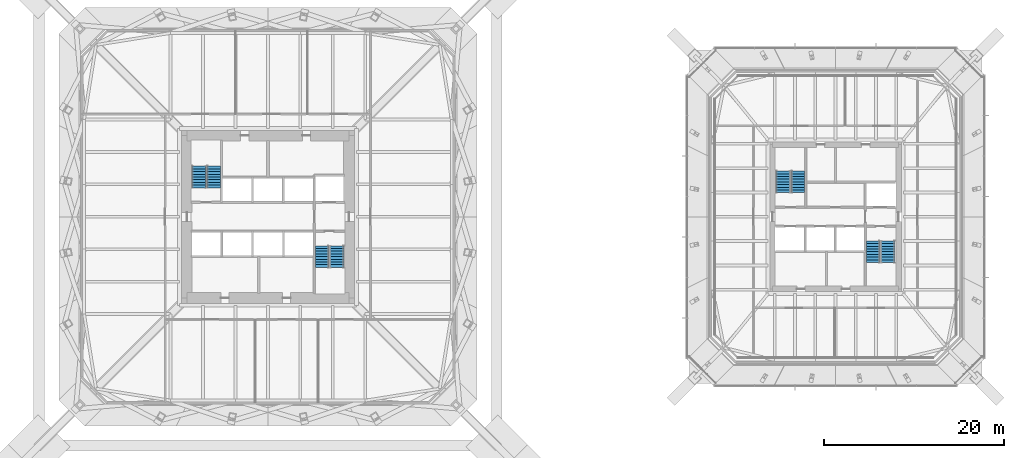
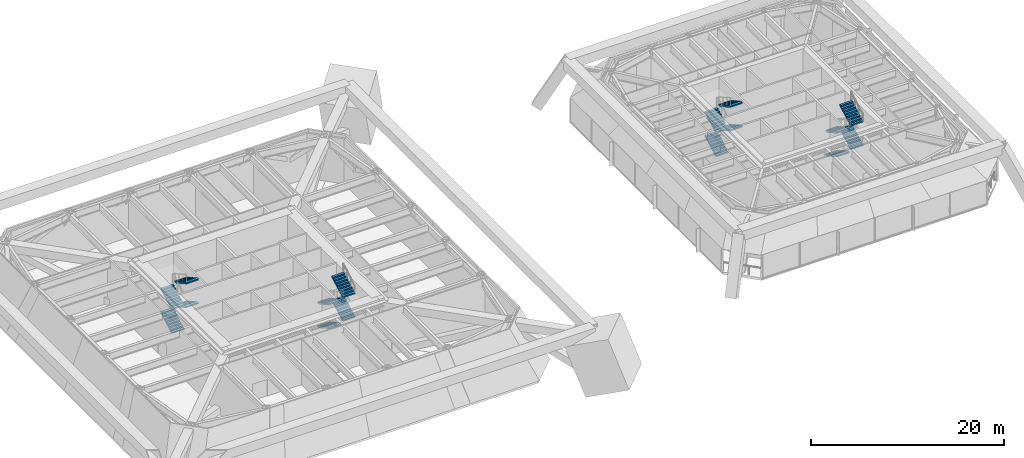
# One storey, part 13 of 16: 16 stair flights, 4 elements without a shape of their own.
"""IFC4 building model written with IfcOpenShell, lengths in metres."""

from ifc_helpers import new_model, si_unit, direction, frame, origin, place, context, subcontext, project, spatial, polyline, outline, extrude, material, constituent, constituent_set, type_object, element, aggregate, save


model = new_model("IFC4")

# Units and contexts
model_context = context("Model", 3, precision=1e-05, world=origin(), true_north=direction((0.0, 1.0)))
body_context = subcontext(model_context, "Body", "Model", "MODEL_VIEW")
ifc_project = project(units=[si_unit("LENGTHUNIT", "METRE"), si_unit("AREAUNIT", "SQUARE_METRE"), si_unit("VOLUMEUNIT", "CUBIC_METRE"), si_unit("PLANEANGLEUNIT", "RADIAN"), si_unit("MASSUNIT", "GRAM", prefix="KILO")], contexts=[model_context])

# Site, building, storey
site_placement = place(None, origin())
site = spatial("IfcSite", under=ifc_project, at=site_placement, CompositionType="ELEMENT")
building_placement = place(site_placement, origin())
building = spatial("IfcBuilding", under=site, at=building_placement, Name="Iwan Alto Co-Living Towers", CompositionType="ELEMENT")
storey_placement = place(building_placement, frame((0.0, 0.0, 74.5)))
storey = spatial("IfcBuildingStorey", under=building, at=storey_placement, Name="L20", CompositionType="ELEMENT", Elevation=74.5)

# Stair, stair flights
ifc_material_1 = material(Name="Steel ASTM A36", Category="steel")
ifc_constituent_1 = constituent(ifc_material_1, Name="Stringers", Category="LoadBearing")
ifc_material_2 = material(Name="Concrete f'c 30 MPa", Category="concrete")
ifc_constituent_2 = constituent(ifc_material_2, Name="Tread fill", Category="Finish")
ifc_constituent_set_1 = constituent_set(constituents=[ifc_constituent_1, ifc_constituent_2], Name="STAIR 6000 FOUR-FLIGHT T1 CORE")
stair_type_1 = type_object("IfcStairType", Name="STAIR 6000 FOUR-FLIGHT T1 CORE", PredefinedType="HALF_TURN_STAIR", material=ifc_constituent_set_1)
stair_1_placement = place(storey_placement, origin())
stair_1 = element("IfcStair", 1, at=stair_1_placement, inside=storey, type_object=stair_type_1, Name="Stair T1-S1 L20 to L21", PredefinedType="HALF_TURN_STAIR")
ifc_constituent_3 = constituent(ifc_material_1, Name="Stringers", Category="LoadBearing")
ifc_constituent_4 = constituent(ifc_material_2, Name="Tread fill", Category="Finish")
ifc_constituent_set_2 = constituent_set(constituents=[ifc_constituent_3, ifc_constituent_4], Name="STAIR FLIGHT 9 RISERS 300 GOING")
stair_flight_type = type_object("IfcStairFlightType", Name="STAIR FLIGHT 9 RISERS 300 GOING", PredefinedType="STRAIGHT", material=ifc_constituent_set_2)
stair_flight_1_placement = place(storey_placement, frame((-7.68994140625, 3.219970703125, 0.0), z_axis=(0.0, 0.0, 1.0), x_axis=(0.0, 1.0, 0.0)))
stair_flight_1 = element("IfcStairFlight", 2, at=stair_flight_1_placement, type_object=stair_flight_type, Name="T1-S1 flight 1", NumberOfRisers=9, NumberOfTreads=8, PredefinedType="STRAIGHT", RiserHeight=0.166667, TreadLength=0.3, context=body_context, shape_type="SweptSolid", body=[
    extrude(outline(polyline([(0.0, 0.0), (0.0, 0.166748046875), (0.300048828125, 0.166748046875), (0.300048828125, 0.333251953125), (0.60009765625, 0.333251953125), (0.60009765625, 0.5), (0.89990234375, 0.5), (0.89990234375, 0.666748046875), (1.199951171875, 0.666748046875), (1.199951171875, 0.833251953125), (1.5, 0.833251953125), (1.5, 1.0), (1.800048828125, 1.0), (1.800048828125, 1.166748046875), (2.10009765625, 1.166748046875), (2.10009765625, 1.333251953125), (2.39990234375, 1.333251953125), (2.39990234375, 1.5), (2.39990234375, 1.161865234375), (0.30859375, 0.0), (0.0, 0.0)])), frame((0.0, 0.739990234375, 0.0), z_axis=(0.0, -1.0, 0.0), x_axis=(1.0, 0.0, 0.0)), (0.0, 0.0, 1.0), 1.47998046875),
])
stair_flight_2_placement = place(storey_placement, frame((-6.010009765625, 5.6201171875, 1.5), z_axis=(0.0, 0.0, 1.0), x_axis=(0.0, -1.0, 0.0)))
stair_flight_2 = element("IfcStairFlight", 3, at=stair_flight_2_placement, type_object=stair_flight_type, Name="T1-S1 flight 2", NumberOfRisers=9, NumberOfTreads=8, PredefinedType="STRAIGHT", RiserHeight=0.166667, TreadLength=0.3, context=body_context, shape_type="SweptSolid", body=[
    extrude(outline(polyline([(0.0, 0.0), (0.0, 0.166748046875), (0.300048828125, 0.166748046875), (0.300048828125, 0.333251953125), (0.60009765625, 0.333251953125), (0.60009765625, 0.5), (0.89990234375, 0.5), (0.89990234375, 0.666748046875), (1.199951171875, 0.666748046875), (1.199951171875, 0.833251953125), (1.5, 0.833251953125), (1.5, 1.0), (1.800048828125, 1.0), (1.800048828125, 1.166748046875), (2.10009765625, 1.166748046875), (2.10009765625, 1.333251953125), (2.39990234375, 1.333251953125), (2.39990234375, 1.5), (2.39990234375, 1.161865234375), (0.30859375, 0.0), (0.0, 0.0)])), frame((0.0, 0.739990234375, 0.0), z_axis=(0.0, -1.0, 0.0), x_axis=(1.0, 0.0, 0.0)), (0.0, 0.0, 1.0), 1.47998046875),
])
stair_flight_3_placement = place(storey_placement, frame((-7.68994140625, 3.219970703125, 3.0), z_axis=(0.0, 0.0, 1.0), x_axis=(0.0, 1.0, 0.0)))
stair_flight_3 = element("IfcStairFlight", 4, at=stair_flight_3_placement, type_object=stair_flight_type, Name="T1-S1 flight 3", NumberOfRisers=9, NumberOfTreads=8, PredefinedType="STRAIGHT", RiserHeight=0.166667, TreadLength=0.3, context=body_context, shape_type="SweptSolid", body=[
    extrude(outline(polyline([(0.0, 0.0), (0.0, 0.166748046875), (0.300048828125, 0.166748046875), (0.300048828125, 0.333251953125), (0.60009765625, 0.333251953125), (0.60009765625, 0.5), (0.89990234375, 0.5), (0.89990234375, 0.666748046875), (1.199951171875, 0.666748046875), (1.199951171875, 0.833251953125), (1.5, 0.833251953125), (1.5, 1.0), (1.800048828125, 1.0), (1.800048828125, 1.166748046875), (2.10009765625, 1.166748046875), (2.10009765625, 1.333251953125), (2.39990234375, 1.333251953125), (2.39990234375, 1.5), (2.39990234375, 1.161865234375), (0.30859375, 0.0), (0.0, 0.0)])), frame((0.0, 0.739990234375, 0.0), z_axis=(0.0, -1.0, 0.0), x_axis=(1.0, 0.0, 0.0)), (0.0, 0.0, 1.0), 1.47998046875),
])
stair_flight_4_placement = place(storey_placement, frame((-6.010009765625, 5.6201171875, 4.5), z_axis=(0.0, 0.0, 1.0), x_axis=(0.0, -1.0, 0.0)))
stair_flight_4 = element("IfcStairFlight", 5, at=stair_flight_4_placement, type_object=stair_flight_type, Name="T1-S1 flight 4", NumberOfRisers=9, NumberOfTreads=8, PredefinedType="STRAIGHT", RiserHeight=0.166667, TreadLength=0.3, context=body_context, shape_type="SweptSolid", body=[
    extrude(outline(polyline([(0.0, 0.0), (0.0, 0.166748046875), (0.300048828125, 0.166748046875), (0.300048828125, 0.333251953125), (0.60009765625, 0.333251953125), (0.60009765625, 0.5), (0.89990234375, 0.5), (0.89990234375, 0.666748046875), (1.199951171875, 0.666748046875), (1.199951171875, 0.833251953125), (1.5, 0.833251953125), (1.5, 1.0), (1.800048828125, 1.0), (1.800048828125, 1.166748046875), (2.10009765625, 1.166748046875), (2.10009765625, 1.333251953125), (2.39990234375, 1.333251953125), (2.39990234375, 1.5), (2.39990234375, 1.161865234375), (0.30859375, 0.0), (0.0, 0.0)])), frame((0.0, 0.739990234375, 0.0), z_axis=(0.0, -1.0, 0.0), x_axis=(1.0, 0.0, 0.0)), (0.0, 0.0, 1.0), 1.47998046875),
])
aggregate(stair_1, [stair_flight_1, stair_flight_2, stair_flight_3, stair_flight_4])

stair_2_placement = place(storey_placement, origin())
stair_2 = element("IfcStair", 6, at=stair_2_placement, inside=storey, type_object=stair_type_1, Name="Stair T1-S2 L20 to L21", PredefinedType="HALF_TURN_STAIR")
stair_flight_5_placement = place(storey_placement, frame((6.010009765625, -3.219970703125, 0.0), z_axis=(0.0, 0.0, 1.0), x_axis=(0.0, -1.0, 0.0)))
stair_flight_5 = element("IfcStairFlight", 7, at=stair_flight_5_placement, type_object=stair_flight_type, Name="T1-S2 flight 1", NumberOfRisers=9, NumberOfTreads=8, PredefinedType="STRAIGHT", RiserHeight=0.166667, TreadLength=0.3, context=body_context, shape_type="SweptSolid", body=[
    extrude(outline(polyline([(0.0, 0.0), (0.0, 0.166748046875), (0.300048828125, 0.166748046875), (0.300048828125, 0.333251953125), (0.60009765625, 0.333251953125), (0.60009765625, 0.5), (0.89990234375, 0.5), (0.89990234375, 0.666748046875), (1.199951171875, 0.666748046875), (1.199951171875, 0.833251953125), (1.5, 0.833251953125), (1.5, 1.0), (1.800048828125, 1.0), (1.800048828125, 1.166748046875), (2.10009765625, 1.166748046875), (2.10009765625, 1.333251953125), (2.39990234375, 1.333251953125), (2.39990234375, 1.5), (2.39990234375, 1.161865234375), (0.30859375, 0.0), (0.0, 0.0)])), frame((0.0, 0.739990234375, 0.0), z_axis=(0.0, -1.0, 0.0), x_axis=(1.0, 0.0, 0.0)), (0.0, 0.0, 1.0), 1.47998046875),
])
stair_flight_6_placement = place(storey_placement, frame((7.68994140625, -5.6201171875, 1.5), z_axis=(0.0, 0.0, 1.0), x_axis=(0.0, 1.0, 0.0)))
stair_flight_6 = element("IfcStairFlight", 8, at=stair_flight_6_placement, type_object=stair_flight_type, Name="T1-S2 flight 2", NumberOfRisers=9, NumberOfTreads=8, PredefinedType="STRAIGHT", RiserHeight=0.166667, TreadLength=0.3, context=body_context, shape_type="SweptSolid", body=[
    extrude(outline(polyline([(0.0, 0.0), (0.0, 0.166748046875), (0.300048828125, 0.166748046875), (0.300048828125, 0.333251953125), (0.60009765625, 0.333251953125), (0.60009765625, 0.5), (0.89990234375, 0.5), (0.89990234375, 0.666748046875), (1.199951171875, 0.666748046875), (1.199951171875, 0.833251953125), (1.5, 0.833251953125), (1.5, 1.0), (1.800048828125, 1.0), (1.800048828125, 1.166748046875), (2.10009765625, 1.166748046875), (2.10009765625, 1.333251953125), (2.39990234375, 1.333251953125), (2.39990234375, 1.5), (2.39990234375, 1.161865234375), (0.30859375, 0.0), (0.0, 0.0)])), frame((0.0, 0.739990234375, 0.0), z_axis=(0.0, -1.0, 0.0), x_axis=(1.0, 0.0, 0.0)), (0.0, 0.0, 1.0), 1.47998046875),
])
stair_flight_7_placement = place(storey_placement, frame((6.010009765625, -3.219970703125, 3.0), z_axis=(0.0, 0.0, 1.0), x_axis=(0.0, -1.0, 0.0)))
stair_flight_7 = element("IfcStairFlight", 9, at=stair_flight_7_placement, type_object=stair_flight_type, Name="T1-S2 flight 3", NumberOfRisers=9, NumberOfTreads=8, PredefinedType="STRAIGHT", RiserHeight=0.166667, TreadLength=0.3, context=body_context, shape_type="SweptSolid", body=[
    extrude(outline(polyline([(0.0, 0.0), (0.0, 0.166748046875), (0.300048828125, 0.166748046875), (0.300048828125, 0.333251953125), (0.60009765625, 0.333251953125), (0.60009765625, 0.5), (0.89990234375, 0.5), (0.89990234375, 0.666748046875), (1.199951171875, 0.666748046875), (1.199951171875, 0.833251953125), (1.5, 0.833251953125), (1.5, 1.0), (1.800048828125, 1.0), (1.800048828125, 1.166748046875), (2.10009765625, 1.166748046875), (2.10009765625, 1.333251953125), (2.39990234375, 1.333251953125), (2.39990234375, 1.5), (2.39990234375, 1.161865234375), (0.30859375, 0.0), (0.0, 0.0)])), frame((0.0, 0.739990234375, 0.0), z_axis=(0.0, -1.0, 0.0), x_axis=(1.0, 0.0, 0.0)), (0.0, 0.0, 1.0), 1.47998046875),
])
stair_flight_8_placement = place(storey_placement, frame((7.68994140625, -5.6201171875, 4.5), z_axis=(0.0, 0.0, 1.0), x_axis=(0.0, 1.0, 0.0)))
stair_flight_8 = element("IfcStairFlight", 10, at=stair_flight_8_placement, type_object=stair_flight_type, Name="T1-S2 flight 4", NumberOfRisers=9, NumberOfTreads=8, PredefinedType="STRAIGHT", RiserHeight=0.166667, TreadLength=0.3, context=body_context, shape_type="SweptSolid", body=[
    extrude(outline(polyline([(0.0, 0.0), (0.0, 0.166748046875), (0.300048828125, 0.166748046875), (0.300048828125, 0.333251953125), (0.60009765625, 0.333251953125), (0.60009765625, 0.5), (0.89990234375, 0.5), (0.89990234375, 0.666748046875), (1.199951171875, 0.666748046875), (1.199951171875, 0.833251953125), (1.5, 0.833251953125), (1.5, 1.0), (1.800048828125, 1.0), (1.800048828125, 1.166748046875), (2.10009765625, 1.166748046875), (2.10009765625, 1.333251953125), (2.39990234375, 1.333251953125), (2.39990234375, 1.5), (2.39990234375, 1.161865234375), (0.30859375, 0.0), (0.0, 0.0)])), frame((0.0, 0.739990234375, 0.0), z_axis=(0.0, -1.0, 0.0), x_axis=(1.0, 0.0, 0.0)), (0.0, 0.0, 1.0), 1.47998046875),
])
aggregate(stair_2, [stair_flight_5, stair_flight_6, stair_flight_7, stair_flight_8])

ifc_constituent_5 = constituent(ifc_material_1, Name="Stringers", Category="LoadBearing")
ifc_constituent_6 = constituent(ifc_material_2, Name="Tread fill", Category="Finish")
ifc_constituent_set_3 = constituent_set(constituents=[ifc_constituent_5, ifc_constituent_6], Name="STAIR 6000 FOUR-FLIGHT T2 CORE")
stair_type_2 = type_object("IfcStairType", Name="STAIR 6000 FOUR-FLIGHT T2 CORE", PredefinedType="HALF_TURN_STAIR", material=ifc_constituent_set_3)
stair_3_placement = place(storey_placement, origin())
stair_3 = element("IfcStair", 11, at=stair_3_placement, inside=storey, type_object=stair_type_2, Name="Stair T2-S1 L20 to L21", PredefinedType="HALF_TURN_STAIR")
stair_flight_9_placement = place(storey_placement, frame((57.159912109375, 2.669921875, 0.0), z_axis=(0.0, 0.0, 1.0), x_axis=(0.0, 1.0, 0.0)))
stair_flight_9 = element("IfcStairFlight", 12, at=stair_flight_9_placement, type_object=stair_flight_type, Name="T2-S1 flight 1", NumberOfRisers=9, NumberOfTreads=8, PredefinedType="STRAIGHT", RiserHeight=0.166667, TreadLength=0.3, context=body_context, shape_type="SweptSolid", body=[
    extrude(outline(polyline([(0.0, 0.0), (0.0, 0.166748046875), (0.300048828125, 0.166748046875), (0.300048828125, 0.333251953125), (0.60009765625, 0.333251953125), (0.60009765625, 0.5), (0.89990234375, 0.5), (0.89990234375, 0.666748046875), (1.199951171875, 0.666748046875), (1.199951171875, 0.833251953125), (1.5, 0.833251953125), (1.5, 1.0), (1.800048828125, 1.0), (1.800048828125, 1.166748046875), (2.10009765625, 1.166748046875), (2.10009765625, 1.333251953125), (2.39990234375, 1.333251953125), (2.39990234375, 1.5), (2.39990234375, 1.161865234375), (0.30859375, 0.0), (0.0, 0.0)])), frame((0.0, 0.739990234375, 0.0), z_axis=(0.0, -1.0, 0.0), x_axis=(1.0, 0.0, 0.0)), (0.0, 0.0, 1.0), 1.47998046875),
])
stair_flight_10_placement = place(storey_placement, frame((58.840087890625, 5.070068359375, 1.5), z_axis=(0.0, 0.0, 1.0), x_axis=(0.0, -1.0, 0.0)))
stair_flight_10 = element("IfcStairFlight", 13, at=stair_flight_10_placement, type_object=stair_flight_type, Name="T2-S1 flight 2", NumberOfRisers=9, NumberOfTreads=8, PredefinedType="STRAIGHT", RiserHeight=0.166667, TreadLength=0.3, context=body_context, shape_type="SweptSolid", body=[
    extrude(outline(polyline([(0.0, 0.0), (0.0, 0.166748046875), (0.300048828125, 0.166748046875), (0.300048828125, 0.333251953125), (0.60009765625, 0.333251953125), (0.60009765625, 0.5), (0.89990234375, 0.5), (0.89990234375, 0.666748046875), (1.199951171875, 0.666748046875), (1.199951171875, 0.833251953125), (1.5, 0.833251953125), (1.5, 1.0), (1.800048828125, 1.0), (1.800048828125, 1.166748046875), (2.10009765625, 1.166748046875), (2.10009765625, 1.333251953125), (2.39990234375, 1.333251953125), (2.39990234375, 1.5), (2.39990234375, 1.161865234375), (0.30859375, 0.0), (0.0, 0.0)])), frame((0.0, 0.739990234375, 0.0), z_axis=(0.0, -1.0, 0.0), x_axis=(1.0, 0.0, 0.0)), (0.0, 0.0, 1.0), 1.47998046875),
])
stair_flight_11_placement = place(storey_placement, frame((57.159912109375, 2.669921875, 3.0), z_axis=(0.0, 0.0, 1.0), x_axis=(0.0, 1.0, 0.0)))
stair_flight_11 = element("IfcStairFlight", 14, at=stair_flight_11_placement, type_object=stair_flight_type, Name="T2-S1 flight 3", NumberOfRisers=9, NumberOfTreads=8, PredefinedType="STRAIGHT", RiserHeight=0.166667, TreadLength=0.3, context=body_context, shape_type="SweptSolid", body=[
    extrude(outline(polyline([(0.0, 0.0), (0.0, 0.166748046875), (0.300048828125, 0.166748046875), (0.300048828125, 0.333251953125), (0.60009765625, 0.333251953125), (0.60009765625, 0.5), (0.89990234375, 0.5), (0.89990234375, 0.666748046875), (1.199951171875, 0.666748046875), (1.199951171875, 0.833251953125), (1.5, 0.833251953125), (1.5, 1.0), (1.800048828125, 1.0), (1.800048828125, 1.166748046875), (2.10009765625, 1.166748046875), (2.10009765625, 1.333251953125), (2.39990234375, 1.333251953125), (2.39990234375, 1.5), (2.39990234375, 1.161865234375), (0.30859375, 0.0), (0.0, 0.0)])), frame((0.0, 0.739990234375, 0.0), z_axis=(0.0, -1.0, 0.0), x_axis=(1.0, 0.0, 0.0)), (0.0, 0.0, 1.0), 1.47998046875),
])
stair_flight_12_placement = place(storey_placement, frame((58.840087890625, 5.070068359375, 4.5), z_axis=(0.0, 0.0, 1.0), x_axis=(0.0, -1.0, 0.0)))
stair_flight_12 = element("IfcStairFlight", 15, at=stair_flight_12_placement, type_object=stair_flight_type, Name="T2-S1 flight 4", NumberOfRisers=9, NumberOfTreads=8, PredefinedType="STRAIGHT", RiserHeight=0.166667, TreadLength=0.3, context=body_context, shape_type="SweptSolid", body=[
    extrude(outline(polyline([(0.0, 0.0), (0.0, 0.166748046875), (0.300048828125, 0.166748046875), (0.300048828125, 0.333251953125), (0.60009765625, 0.333251953125), (0.60009765625, 0.5), (0.89990234375, 0.5), (0.89990234375, 0.666748046875), (1.199951171875, 0.666748046875), (1.199951171875, 0.833251953125), (1.5, 0.833251953125), (1.5, 1.0), (1.800048828125, 1.0), (1.800048828125, 1.166748046875), (2.10009765625, 1.166748046875), (2.10009765625, 1.333251953125), (2.39990234375, 1.333251953125), (2.39990234375, 1.5), (2.39990234375, 1.161865234375), (0.30859375, 0.0), (0.0, 0.0)])), frame((0.0, 0.739990234375, 0.0), z_axis=(0.0, -1.0, 0.0), x_axis=(1.0, 0.0, 0.0)), (0.0, 0.0, 1.0), 1.47998046875),
])
aggregate(stair_3, [stair_flight_9, stair_flight_10, stair_flight_11, stair_flight_12])

stair_4_placement = place(storey_placement, origin())
stair_4 = element("IfcStair", 16, at=stair_4_placement, inside=storey, type_object=stair_type_2, Name="Stair T2-S2 L20 to L21", PredefinedType="HALF_TURN_STAIR")
stair_flight_13_placement = place(storey_placement, frame((67.159912109375, -2.669921875, 0.0), z_axis=(0.0, 0.0, 1.0), x_axis=(0.0, -1.0, 0.0)))
stair_flight_13 = element("IfcStairFlight", 17, at=stair_flight_13_placement, type_object=stair_flight_type, Name="T2-S2 flight 1", NumberOfRisers=9, NumberOfTreads=8, PredefinedType="STRAIGHT", RiserHeight=0.166667, TreadLength=0.3, context=body_context, shape_type="SweptSolid", body=[
    extrude(outline(polyline([(0.0, 0.0), (0.0, 0.166748046875), (0.300048828125, 0.166748046875), (0.300048828125, 0.333251953125), (0.60009765625, 0.333251953125), (0.60009765625, 0.5), (0.89990234375, 0.5), (0.89990234375, 0.666748046875), (1.199951171875, 0.666748046875), (1.199951171875, 0.833251953125), (1.5, 0.833251953125), (1.5, 1.0), (1.800048828125, 1.0), (1.800048828125, 1.166748046875), (2.10009765625, 1.166748046875), (2.10009765625, 1.333251953125), (2.39990234375, 1.333251953125), (2.39990234375, 1.5), (2.39990234375, 1.161865234375), (0.30859375, 0.0), (0.0, 0.0)])), frame((0.0, 0.739990234375, 0.0), z_axis=(0.0, -1.0, 0.0), x_axis=(1.0, 0.0, 0.0)), (0.0, 0.0, 1.0), 1.47998046875),
])
stair_flight_14_placement = place(storey_placement, frame((68.840087890625, -5.070068359375, 1.5), z_axis=(0.0, 0.0, 1.0), x_axis=(0.0, 1.0, 0.0)))
stair_flight_14 = element("IfcStairFlight", 18, at=stair_flight_14_placement, type_object=stair_flight_type, Name="T2-S2 flight 2", NumberOfRisers=9, NumberOfTreads=8, PredefinedType="STRAIGHT", RiserHeight=0.166667, TreadLength=0.3, context=body_context, shape_type="SweptSolid", body=[
    extrude(outline(polyline([(0.0, 0.0), (0.0, 0.166748046875), (0.300048828125, 0.166748046875), (0.300048828125, 0.333251953125), (0.60009765625, 0.333251953125), (0.60009765625, 0.5), (0.89990234375, 0.5), (0.89990234375, 0.666748046875), (1.199951171875, 0.666748046875), (1.199951171875, 0.833251953125), (1.5, 0.833251953125), (1.5, 1.0), (1.800048828125, 1.0), (1.800048828125, 1.166748046875), (2.10009765625, 1.166748046875), (2.10009765625, 1.333251953125), (2.39990234375, 1.333251953125), (2.39990234375, 1.5), (2.39990234375, 1.161865234375), (0.30859375, 0.0), (0.0, 0.0)])), frame((0.0, 0.739990234375, 0.0), z_axis=(0.0, -1.0, 0.0), x_axis=(1.0, 0.0, 0.0)), (0.0, 0.0, 1.0), 1.47998046875),
])
stair_flight_15_placement = place(storey_placement, frame((67.159912109375, -2.669921875, 3.0), z_axis=(0.0, 0.0, 1.0), x_axis=(0.0, -1.0, 0.0)))
stair_flight_15 = element("IfcStairFlight", 19, at=stair_flight_15_placement, type_object=stair_flight_type, Name="T2-S2 flight 3", NumberOfRisers=9, NumberOfTreads=8, PredefinedType="STRAIGHT", RiserHeight=0.166667, TreadLength=0.3, context=body_context, shape_type="SweptSolid", body=[
    extrude(outline(polyline([(0.0, 0.0), (0.0, 0.166748046875), (0.300048828125, 0.166748046875), (0.300048828125, 0.333251953125), (0.60009765625, 0.333251953125), (0.60009765625, 0.5), (0.89990234375, 0.5), (0.89990234375, 0.666748046875), (1.199951171875, 0.666748046875), (1.199951171875, 0.833251953125), (1.5, 0.833251953125), (1.5, 1.0), (1.800048828125, 1.0), (1.800048828125, 1.166748046875), (2.10009765625, 1.166748046875), (2.10009765625, 1.333251953125), (2.39990234375, 1.333251953125), (2.39990234375, 1.5), (2.39990234375, 1.161865234375), (0.30859375, 0.0), (0.0, 0.0)])), frame((0.0, 0.739990234375, 0.0), z_axis=(0.0, -1.0, 0.0), x_axis=(1.0, 0.0, 0.0)), (0.0, 0.0, 1.0), 1.47998046875),
])
stair_flight_16_placement = place(storey_placement, frame((68.840087890625, -5.070068359375, 4.5), z_axis=(0.0, 0.0, 1.0), x_axis=(0.0, 1.0, 0.0)))
stair_flight_16 = element("IfcStairFlight", 20, at=stair_flight_16_placement, type_object=stair_flight_type, Name="T2-S2 flight 4", NumberOfRisers=9, NumberOfTreads=8, PredefinedType="STRAIGHT", RiserHeight=0.166667, TreadLength=0.3, context=body_context, shape_type="SweptSolid", body=[
    extrude(outline(polyline([(0.0, 0.0), (0.0, 0.166748046875), (0.300048828125, 0.166748046875), (0.300048828125, 0.333251953125), (0.60009765625, 0.333251953125), (0.60009765625, 0.5), (0.89990234375, 0.5), (0.89990234375, 0.666748046875), (1.199951171875, 0.666748046875), (1.199951171875, 0.833251953125), (1.5, 0.833251953125), (1.5, 1.0), (1.800048828125, 1.0), (1.800048828125, 1.166748046875), (2.10009765625, 1.166748046875), (2.10009765625, 1.333251953125), (2.39990234375, 1.333251953125), (2.39990234375, 1.5), (2.39990234375, 1.161865234375), (0.30859375, 0.0), (0.0, 0.0)])), frame((0.0, 0.739990234375, 0.0), z_axis=(0.0, -1.0, 0.0), x_axis=(1.0, 0.0, 0.0)), (0.0, 0.0, 1.0), 1.47998046875),
])
aggregate(stair_4, [stair_flight_13, stair_flight_14, stair_flight_15, stair_flight_16])

save(model, "model.ifc")
